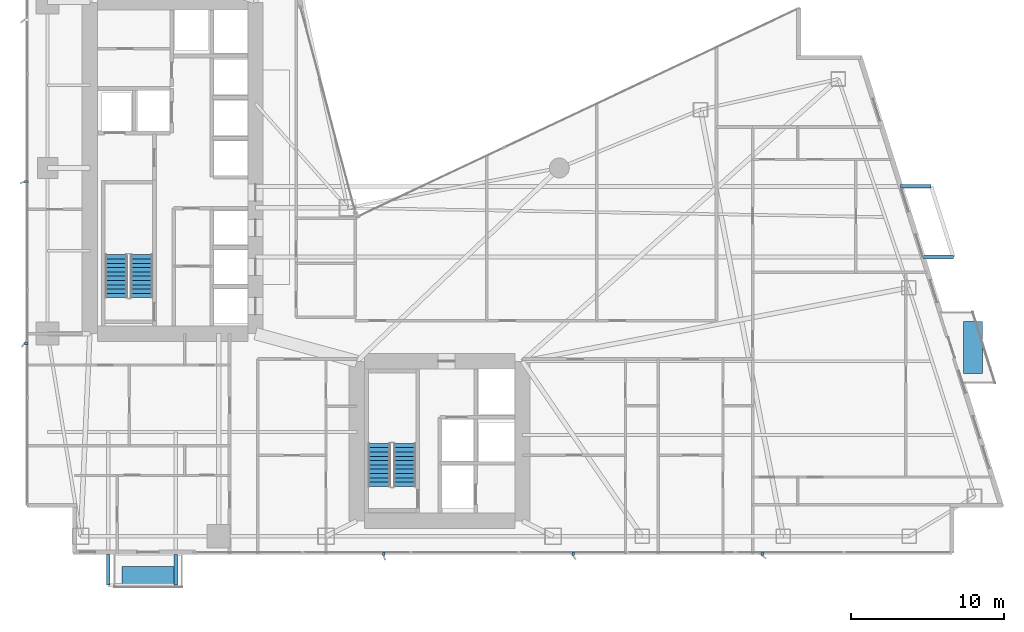
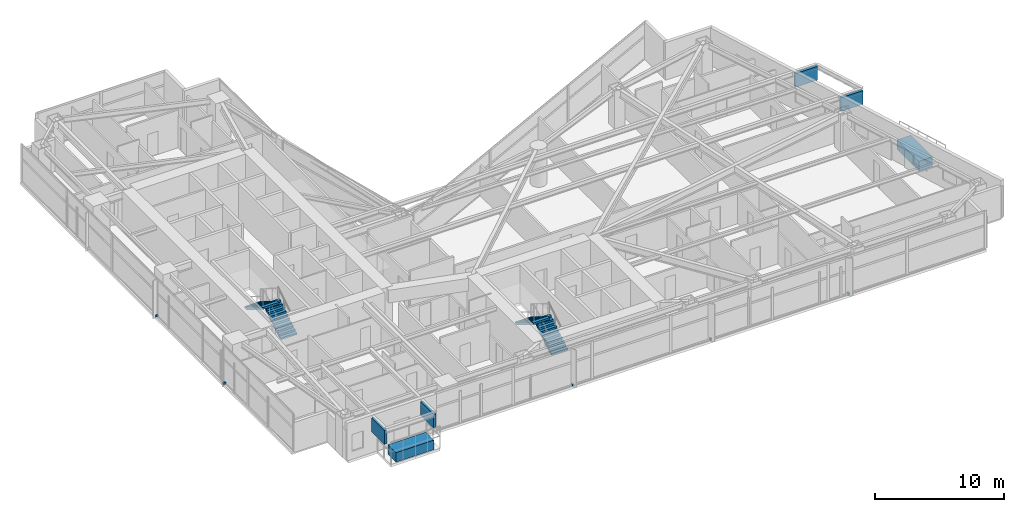
# One storey, part 26 of 29: 11 discrete accessories, 4 stair flights, 2 elements without a shape of their own.
"""IFC4 building model written with IfcOpenShell, lengths in metres."""

from ifc_helpers import new_model, si_unit, direction, frame, origin, origin_2d, place, context, subcontext, project, spatial, polyline, rectangle, outline, extrude, material, type_object, element, aggregate, save


model = new_model("IFC4")

# Units and contexts
model_context = context("Model", 3, precision=1e-05, world=origin(), true_north=direction((0.0, 1.0)))
body_context = subcontext(model_context, "Body", "Model", "MODEL_VIEW")
ifc_project = project(units=[si_unit("LENGTHUNIT", "METRE"), si_unit("AREAUNIT", "SQUARE_METRE"), si_unit("VOLUMEUNIT", "CUBIC_METRE"), si_unit("PLANEANGLEUNIT", "RADIAN"), si_unit("MASSUNIT", "GRAM", prefix="KILO")], contexts=[model_context])

# Site, building, storey
site_placement = place(None, origin())
site = spatial("IfcSite", under=ifc_project, at=site_placement, CompositionType="ELEMENT")
building_placement = place(site_placement, origin())
building = spatial("IfcBuilding", under=site, at=building_placement, Name="Calvorn Quay Hotel", CompositionType="ELEMENT")
storey_placement = place(building_placement, frame((0.0, 0.0, 38.39990234375)))
storey = spatial("IfcBuildingStorey", under=building, at=storey_placement, Name="L08", CompositionType="ELEMENT", Elevation=38.39990234375)

# Stair, stair flights
ifc_material_1 = material(Name="Concrete C40", Category="concrete")
stair_type = type_object("IfcStairType", Name="STR-CORE-DOGLEG", PredefinedType="HALF_TURN_STAIR", material=ifc_material_1)
stair_1_placement = place(storey_placement, origin())
stair_1 = element("IfcStair", 1, at=stair_1_placement, inside=storey, type_object=stair_type, Name="L08 ST-W", PredefinedType="HALF_TURN_STAIR")
ifc_material_2 = material(Name="Concrete C40", Category="concrete")
stair_flight_type = type_object("IfcStairFlightType", Name="FLT-CORE-1550", PredefinedType="STRAIGHT", material=ifc_material_2)
stair_flight_1_placement = place(storey_placement, frame((7.574951171875, 19.14990234375, 0.0), z_axis=(0.0, 0.0, 1.0), x_axis=(0.0, 1.0, 0.0)))
stair_flight_1 = element("IfcStairFlight", 2, at=stair_flight_1_placement, type_object=stair_flight_type, Name="ST-W flight 1", NumberOfRisers=11, NumberOfTreads=10, PredefinedType="STRAIGHT", RiserHeight=0.172727273, TreadLength=0.28, context=body_context, shape_type="SweptSolid", body=[
    extrude(outline(polyline([(0.0, 0.0), (0.0, 0.172607421875), (0.280029296875, 0.172607421875), (0.280029296875, 0.345458984375), (0.56005859375, 0.345458984375), (0.56005859375, 0.51806640625), (0.840087890625, 0.51806640625), (0.840087890625, 0.69091796875), (1.1201171875, 0.69091796875), (1.1201171875, 0.863525390625), (1.39990234375, 0.863525390625), (1.39990234375, 1.036376953125), (1.679931640625, 1.036376953125), (1.679931640625, 1.208984375), (1.9599609375, 1.208984375), (1.9599609375, 1.3818359375), (2.239990234375, 1.3818359375), (2.239990234375, 1.554443359375), (2.52001953125, 1.554443359375), (2.52001953125, 1.727294921875), (2.800048828125, 1.727294921875), (2.800048828125, 1.89990234375), (2.800048828125, 1.551025390625), (0.285400390625, 0.0), (0.0, 0.0)])), frame((0.0, 0.72509765625, 0.0), z_axis=(0.0, -1.0, 0.0), x_axis=(1.0, 0.0, 0.0)), (0.0, 0.0, 1.0), 1.449951171875),
])
stair_flight_2_placement = place(storey_placement, frame((5.925048828125, 21.949951171875, 1.900146484375), z_axis=(0.0, 0.0, 1.0), x_axis=(0.0, -1.0, 0.0)))
stair_flight_2 = element("IfcStairFlight", 3, at=stair_flight_2_placement, type_object=stair_flight_type, Name="ST-W flight 2", NumberOfRisers=11, NumberOfTreads=10, PredefinedType="STRAIGHT", RiserHeight=0.172727273, TreadLength=0.28, context=body_context, shape_type="SweptSolid", body=[
    extrude(outline(polyline([(0.0, 0.0), (0.0, 0.172607421875), (0.280029296875, 0.172607421875), (0.280029296875, 0.345458984375), (0.56005859375, 0.345458984375), (0.56005859375, 0.51806640625), (0.840087890625, 0.51806640625), (0.840087890625, 0.69091796875), (1.1201171875, 0.69091796875), (1.1201171875, 0.863525390625), (1.39990234375, 0.863525390625), (1.39990234375, 1.036376953125), (1.679931640625, 1.036376953125), (1.679931640625, 1.208984375), (1.9599609375, 1.208984375), (1.9599609375, 1.3818359375), (2.239990234375, 1.3818359375), (2.239990234375, 1.554443359375), (2.52001953125, 1.554443359375), (2.52001953125, 1.727294921875), (2.800048828125, 1.727294921875), (2.800048828125, 1.89990234375), (2.800048828125, 1.551025390625), (0.285400390625, 0.0), (0.0, 0.0)])), frame((0.0, 0.72509765625, 0.0), z_axis=(0.0, -1.0, 0.0), x_axis=(1.0, 0.0, 0.0)), (0.0, 0.0, 1.0), 1.449951171875),
])
aggregate(stair_1, [stair_flight_1, stair_flight_2])

stair_2_placement = place(storey_placement, origin())
stair_2 = element("IfcStair", 4, at=stair_2_placement, inside=storey, type_object=stair_type, Name="L08 ST-E", PredefinedType="HALF_TURN_STAIR")
stair_flight_3_placement = place(storey_placement, frame((24.72509765625, 6.85009765625, 0.0), z_axis=(0.0, 0.0, 1.0), x_axis=(0.0, 1.0, 0.0)))
stair_flight_3 = element("IfcStairFlight", 5, at=stair_flight_3_placement, type_object=stair_flight_type, Name="ST-E flight 1", NumberOfRisers=11, NumberOfTreads=10, PredefinedType="STRAIGHT", RiserHeight=0.172727273, TreadLength=0.28, context=body_context, shape_type="SweptSolid", body=[
    extrude(outline(polyline([(0.0, 0.0), (0.0, 0.172607421875), (0.280029296875, 0.172607421875), (0.280029296875, 0.345458984375), (0.56005859375, 0.345458984375), (0.56005859375, 0.51806640625), (0.840087890625, 0.51806640625), (0.840087890625, 0.69091796875), (1.1201171875, 0.69091796875), (1.1201171875, 0.863525390625), (1.39990234375, 0.863525390625), (1.39990234375, 1.036376953125), (1.679931640625, 1.036376953125), (1.679931640625, 1.208984375), (1.9599609375, 1.208984375), (1.9599609375, 1.3818359375), (2.239990234375, 1.3818359375), (2.239990234375, 1.554443359375), (2.52001953125, 1.554443359375), (2.52001953125, 1.727294921875), (2.800048828125, 1.727294921875), (2.800048828125, 1.89990234375), (2.800048828125, 1.551025390625), (0.285400390625, 0.0), (0.0, 0.0)])), frame((0.0, 0.72509765625, 0.0), z_axis=(0.0, -1.0, 0.0), x_axis=(1.0, 0.0, 0.0)), (0.0, 0.0, 1.0), 1.449951171875),
])
stair_flight_4_placement = place(storey_placement, frame((23.074951171875, 9.64990234375, 1.900146484375), z_axis=(0.0, 0.0, 1.0), x_axis=(0.0, -1.0, 0.0)))
stair_flight_4 = element("IfcStairFlight", 6, at=stair_flight_4_placement, type_object=stair_flight_type, Name="ST-E flight 2", NumberOfRisers=11, NumberOfTreads=10, PredefinedType="STRAIGHT", RiserHeight=0.172727273, TreadLength=0.28, context=body_context, shape_type="SweptSolid", body=[
    extrude(outline(polyline([(0.0, 0.0), (0.0, 0.172607421875), (0.280029296875, 0.172607421875), (0.280029296875, 0.345458984375), (0.56005859375, 0.345458984375), (0.56005859375, 0.51806640625), (0.840087890625, 0.51806640625), (0.840087890625, 0.69091796875), (1.1201171875, 0.69091796875), (1.1201171875, 0.863525390625), (1.39990234375, 0.863525390625), (1.39990234375, 1.036376953125), (1.679931640625, 1.036376953125), (1.679931640625, 1.208984375), (1.9599609375, 1.208984375), (1.9599609375, 1.3818359375), (2.239990234375, 1.3818359375), (2.239990234375, 1.554443359375), (2.52001953125, 1.554443359375), (2.52001953125, 1.727294921875), (2.800048828125, 1.727294921875), (2.800048828125, 1.89990234375), (2.800048828125, 1.551025390625), (0.285400390625, 0.0), (0.0, 0.0)])), frame((0.0, 0.72509765625, 0.0), z_axis=(0.0, -1.0, 0.0), x_axis=(1.0, 0.0, 0.0)), (0.0, 0.0, 1.0), 1.449951171875),
])
aggregate(stair_2, [stair_flight_3, stair_flight_4])

# Discrete accessories
ifc_material_3 = material(Name="Steel Q355B", Category="steel")
discrete_accessory_type_1 = type_object("IfcDiscreteAccessoryType", Name="ACC-BALC-STRUT", PredefinedType="BRACKET", material=ifc_material_3)
for number, where, z_axis, x_axis, name in (
    (7, (59.490966796875, 21.800048828125, 2.01513671875), (0.0, 0.0, 1.0), (1.0, 0.0, 0.0), "Exterior Balcony Steel Bracket L09-BALC-E-A"),
    (8, (58.0419921875, 26.39990234375, 2.01513671875), (0.0, 0.0, 1.0), (1.0, 0.0, 0.0), "Exterior Balcony Steel Bracket L09-BALC-E-B"),
):
    element("IfcDiscreteAccessory", number, at=place(storey_placement, frame(where, z_axis=z_axis, x_axis=x_axis)), inside=storey, type_object=discrete_accessory_type_1, Name=name, PredefinedType="BRACKET", context=body_context, shape_type="SweptSolid", body=[
        extrude(rectangle(XDim=1.989990234375, YDim=0.219970703125, at=origin_2d()), origin(), (0.0, 0.0, 1.0), 1.300048828125),
    ])
for number, where, z_axis, x_axis, name in (
    (9, (5.39990234375, 1.405029296875, 2.01513671875), (0.0, 0.0, 1.0), (1.0, 0.0, 0.0), "Exterior Balcony Steel Bracket L09-BALC-S-A"),
    (10, (9.800048828125, 1.405029296875, 2.01513671875), (0.0, 0.0, 1.0), (1.0, 0.0, 0.0), "Exterior Balcony Steel Bracket L09-BALC-S-B"),
):
    element("IfcDiscreteAccessory", number, at=place(storey_placement, frame(where, z_axis=z_axis, x_axis=x_axis)), inside=storey, type_object=discrete_accessory_type_1, Name=name, PredefinedType="BRACKET", context=body_context, shape_type="SweptSolid", body=[
        extrude(rectangle(XDim=0.219970703125, YDim=1.989990234375, at=origin_2d()), origin(), (0.0, 0.0, 1.0), 1.300048828125),
    ])
ifc_material_4 = material(Name="Steel Q355B", Category="steel")
discrete_accessory_type_2 = type_object("IfcDiscreteAccessoryType", Name="ACC-FIN-BRACKET", PredefinedType="BRACKET", material=ifc_material_4)
for number, where, z_axis, x_axis, name in (
    (11, (0.06005859375, 16.14990234375, 0.0302734375), (0.0, 0.0, 1.0), (1.0, 0.0, 0.0), "Fin Anchor Bracket L08-W01"),
    (12, (0.06005859375, 26.699951171875, 0.0302734375), (0.0, 0.0, 1.0), (1.0, 0.0, 0.0), "Fin Anchor Bracket L08-W02"),
    (13, (23.35009765625, 2.4599609375, 0.0302734375), (0.0, 0.0, 1.0), (0.0, 1.0, 0.0), "Fin Anchor Bracket L08-S01"),
    (14, (35.699951171875, 2.4599609375, 0.0302734375), (0.0, 0.0, 1.0), (0.0, 1.0, 0.0), "Fin Anchor Bracket L08-S02"),
    (15, (48.050048828125, 2.4599609375, 0.0302734375), (0.0, 0.0, 1.0), (0.0, 1.0, 0.0), "Fin Anchor Bracket L08-S03"),
):
    element("IfcDiscreteAccessory", number, at=place(storey_placement, frame(where, z_axis=z_axis, x_axis=x_axis)), inside=storey, type_object=discrete_accessory_type_2, Name=name, PredefinedType="BRACKET", context=body_context, shape_type="SweptSolid", body=[
        extrude(rectangle(XDim=0.239990234375, YDim=0.159912109375, at=origin_2d()), origin(), (0.0, 0.0, 1.0), 0.179931640625),
    ])
ifc_material_5 = material(Name="Precast concrete C40", Category="concrete")
discrete_accessory_type_3 = type_object("IfcDiscreteAccessoryType", Name="ACC-TREE-PLANTER", PredefinedType="USERDEFINED", material=ifc_material_5)
discrete_accessory_1_placement = place(storey_placement, frame((61.763916015625, 15.89990234375, 0.000244140625), z_axis=(0.0, 0.0, 1.0), x_axis=(1.0, 0.0, 0.0)))
element("IfcDiscreteAccessory", 16, at=discrete_accessory_1_placement, inside=storey, type_object=discrete_accessory_type_3, Name="Subtropical Tree Structural Planter L08-BALC-E", ObjectType="PLANTER", PredefinedType="USERDEFINED", context=body_context, shape_type="SweptSolid", body=[
    extrude(rectangle(XDim=1.25, YDim=3.39990234375, at=origin_2d()), origin(), (0.0, 0.0, 1.0), 0.89990234375),
])
discrete_accessory_2_placement = place(storey_placement, frame((8.0, 0.989990234375, 0.000244140625), z_axis=(0.0, 0.0, 1.0), x_axis=(1.0, 0.0, 0.0)))
element("IfcDiscreteAccessory", 17, at=discrete_accessory_2_placement, inside=storey, type_object=discrete_accessory_type_3, Name="Subtropical Tree Structural Planter L08-BALC-S", ObjectType="PLANTER", PredefinedType="USERDEFINED", context=body_context, shape_type="SweptSolid", body=[
    extrude(rectangle(XDim=3.39990234375, YDim=1.25, at=origin_2d()), origin(), (0.0, 0.0, 1.0), 0.89990234375),
])

save(model, "model.ifc")
